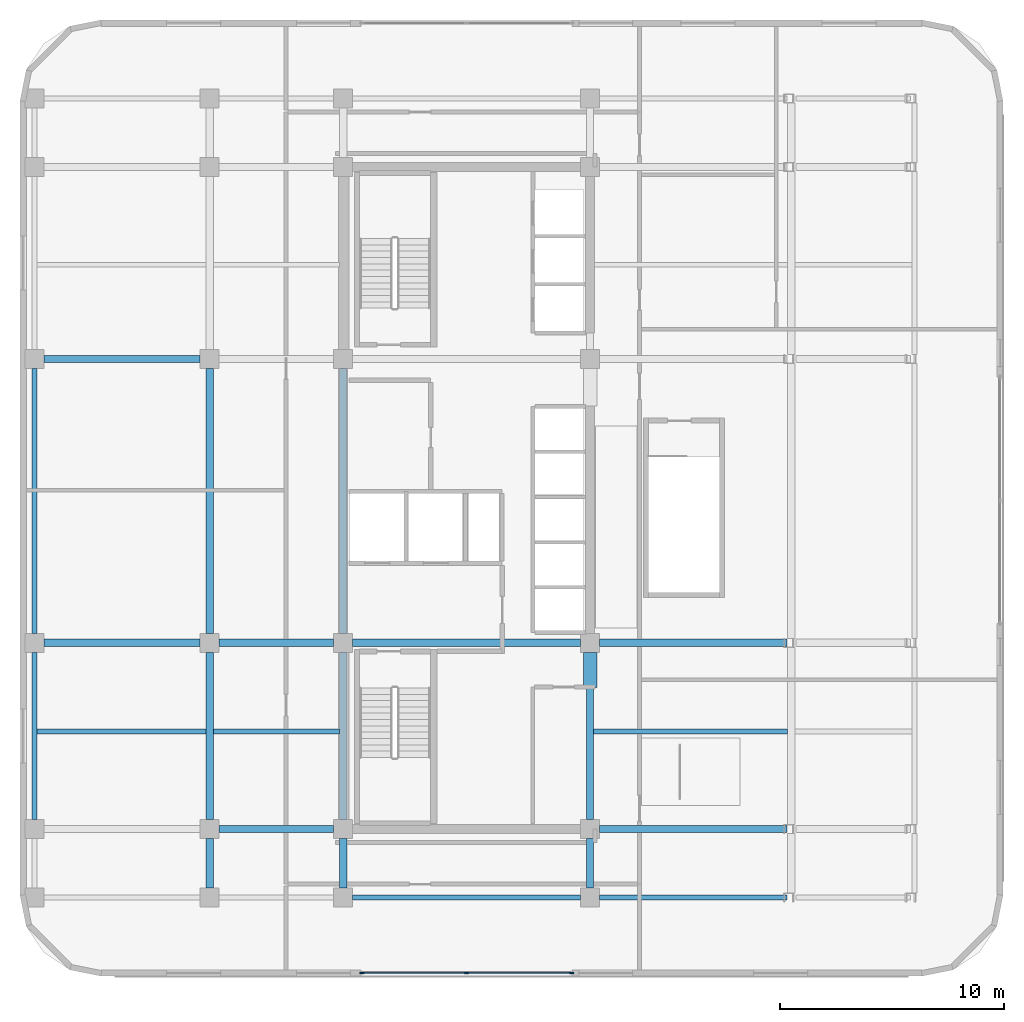
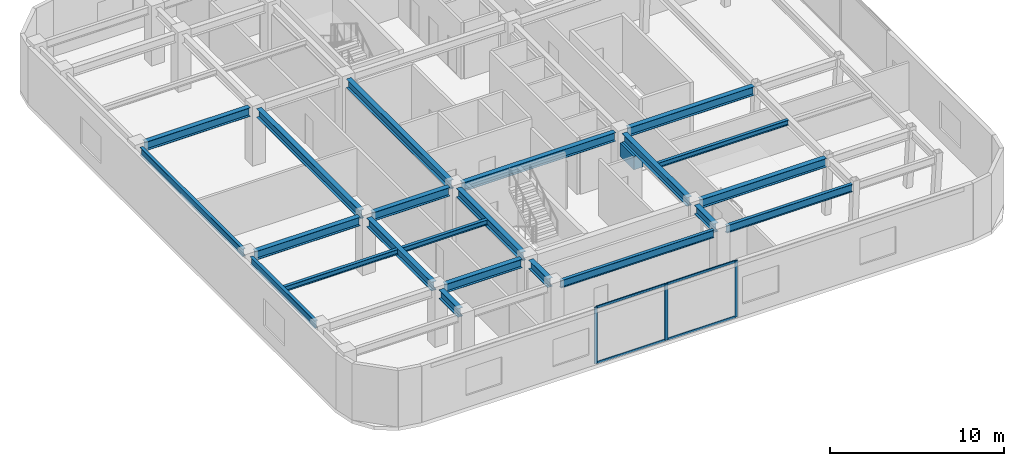
# One storey, part 2 of 12: 23 beams, 7 members, 1 element without a shape of its own.
"""IFC4 building model written with IfcOpenShell, lengths in metres."""

from ifc_helpers import new_model, si_unit, direction, frame, origin, origin_2d, place, context, subcontext, project, spatial, rectangle, i_section, extrude, material, layer, layer_set, material_profile, profile_set, type_object, element, aggregate, save


model = new_model("IFC4")

# Units and contexts
model_context = context("Model", 3, precision=1e-05, world=origin(), true_north=direction((0.0, 1.0)))
body_context = subcontext(model_context, "Body", "Model", "MODEL_VIEW")
ifc_project = project(units=[si_unit("LENGTHUNIT", "METRE"), si_unit("AREAUNIT", "SQUARE_METRE"), si_unit("VOLUMEUNIT", "CUBIC_METRE"), si_unit("PLANEANGLEUNIT", "RADIAN"), si_unit("MASSUNIT", "GRAM", prefix="KILO")], contexts=[model_context])

# Site, building, storey
site_placement = place(None, origin())
site = spatial("IfcSite", under=ifc_project, at=site_placement, CompositionType="ELEMENT")
building_placement = place(site_placement, origin())
building = spatial("IfcBuilding", under=site, at=building_placement, Name="Ochreholt Gables", CompositionType="ELEMENT")
storey_placement = place(building_placement, frame((0.0, 0.0, 117.0)))
storey = spatial("IfcBuildingStorey", under=building, at=storey_placement, Name="L30", CompositionType="ELEMENT", Elevation=117.0)

# Beams
ifc_material_1 = material(Name="Concrete 60 MPa", Category="concrete")
ifc_material_profile_1 = material_profile(ifc_material_1, rectangle(XDim=0.60009765625, YDim=0.949951171875, at=origin_2d()), Name="RCB600X950")
ifc_profile_set_1 = profile_set([ifc_material_profile_1], Name="Concrete 60 MPa")
beam_type_1 = type_object("IfcBeamType", Name="BM-CPL-RC600", PredefinedType="LINTEL", material=ifc_profile_set_1)
beam_1_placement = place(storey_placement, frame((35.199951171875, 15.550048828125, 2.8740234375), z_axis=(0.0, 1.0, 0.0), x_axis=(-1.0, 0.0, 0.0)))
element("IfcBeam", 1, at=beam_1_placement, inside=storey, type_object=beam_type_1, Name="L30 Core Coupling Lintel CPS", PredefinedType="LINTEL", context=body_context, shape_type="SweptSolid", body=[
    extrude(rectangle(XDim=0.60009765625, YDim=0.949951171875, at=origin_2d()), origin(), (0.0, 0.0, 1.0), 1.574951171875),
])
ifc_material_2 = material(Name="Steel CSA G40.21 350W", Category="steel")
ifc_material_profile_2 = material_profile(ifc_material_2, i_section(OverallWidth=0.323974609375, OverallDepth=0.611083984375, WebThickness=0.0126953125, FlangeThickness=0.01904296875, at=origin_2d()), Name="W610X155")
ifc_profile_set_2 = profile_set([ifc_material_profile_2], Name="Steel CSA G40.21 350W")
beam_type_2 = type_object("IfcBeamType", Name="BM-G-W610A", PredefinedType="BEAM", material=ifc_profile_set_2)
beam_2_placement = place(storey_placement, frame((18.674560546875, 9.25, 3.654541015625), z_axis=(1.0, 0.0, 0.0), x_axis=(0.0, 1.0, 0.0)))
element("IfcBeam", 2, at=beam_2_placement, inside=storey, type_object=beam_type_2, Name="L30 Beam TBG-L30-W3C1-Y2", PredefinedType="BEAM", context=body_context, shape_type="SweptSolid", body=[
    extrude(i_section(OverallWidth=0.323974609375, OverallDepth=0.611083984375, WebThickness=0.0126953125, FlangeThickness=0.01904296875, at=origin_2d()), origin(), (0.0, 0.0, 1.0), 5.100830078125),
])
beam_3_placement = place(storey_placement, frame((35.62451171875, 9.25, 3.654541015625), z_axis=(1.0, 0.0, 0.0), x_axis=(0.0, 1.0, 0.0)))
element("IfcBeam", 3, at=beam_3_placement, inside=storey, type_object=beam_type_2, Name="L30 Beam TBG-L30-C2EM-Y2", PredefinedType="BEAM", context=body_context, shape_type="SweptSolid", body=[
    extrude(i_section(OverallWidth=0.323974609375, OverallDepth=0.611083984375, WebThickness=0.0126953125, FlangeThickness=0.01904296875, at=origin_2d()), origin(), (0.0, 0.0, 1.0), 8.350830078125),
])
beam_4_placement = place(storey_placement, frame((10.87451171875, 17.550048828125, 3.654541015625), z_axis=(1.0, 0.0, 0.0), x_axis=(0.0, 1.0, 0.0)))
element("IfcBeam", 4, at=beam_4_placement, inside=storey, type_object=beam_type_2, Name="L30 Beam TBG-L30-W2W3-Y3", PredefinedType="BEAM", context=body_context, shape_type="SweptSolid", body=[
    extrude(i_section(OverallWidth=0.323974609375, OverallDepth=0.611083984375, WebThickness=0.0126953125, FlangeThickness=0.01904296875, at=origin_2d()), origin(), (0.0, 0.0, 1.0), 6.950927734375),
])
beam_5_placement = place(storey_placement, frame((18.674560546875, 17.550048828125, 3.654541015625), z_axis=(1.0, 0.0, 0.0), x_axis=(0.0, 1.0, 0.0)))
element("IfcBeam", 5, at=beam_5_placement, inside=storey, type_object=beam_type_2, Name="L30 Beam TBG-L30-W3C1-Y3", PredefinedType="BEAM", context=body_context, shape_type="SweptSolid", body=[
    extrude(i_section(OverallWidth=0.323974609375, OverallDepth=0.611083984375, WebThickness=0.0126953125, FlangeThickness=0.01904296875, at=origin_2d()), origin(), (0.0, 0.0, 1.0), 5.100830078125),
])
beam_6_placement = place(storey_placement, frame((24.62451171875, 17.550048828125, 3.654541015625), z_axis=(1.0, 0.0, 0.0), x_axis=(0.0, 1.0, 0.0)))
element("IfcBeam", 6, at=beam_6_placement, inside=storey, type_object=beam_type_2, Name="L30 Beam TBG-L30-C1C2-Y3", PredefinedType="BEAM", context=body_context, shape_type="SweptSolid", body=[
    extrude(i_section(OverallWidth=0.323974609375, OverallDepth=0.611083984375, WebThickness=0.0126953125, FlangeThickness=0.01904296875, at=origin_2d()), origin(), (0.0, 0.0, 1.0), 10.15087890625),
])
beam_7_placement = place(storey_placement, frame((35.62451171875, 17.550048828125, 3.654541015625), z_axis=(1.0, 0.0, 0.0), x_axis=(0.0, 1.0, 0.0)))
element("IfcBeam", 7, at=beam_7_placement, inside=storey, type_object=beam_type_2, Name="L30 Beam TBG-L30-C2EM-Y3", PredefinedType="BEAM", context=body_context, shape_type="SweptSolid", body=[
    extrude(i_section(OverallWidth=0.323974609375, OverallDepth=0.611083984375, WebThickness=0.0126953125, FlangeThickness=0.01904296875, at=origin_2d()), origin(), (0.0, 0.0, 1.0), 8.350830078125),
])
beam_8_placement = place(storey_placement, frame((10.87451171875, 30.199951171875, 3.654541015625), z_axis=(1.0, 0.0, 0.0), x_axis=(0.0, 1.0, 0.0)))
element("IfcBeam", 8, at=beam_8_placement, inside=storey, type_object=beam_type_2, Name="L30 Beam TBG-L30-W2W3-Y4", PredefinedType="BEAM", context=body_context, shape_type="SweptSolid", body=[
    extrude(i_section(OverallWidth=0.323974609375, OverallDepth=0.611083984375, WebThickness=0.0126953125, FlangeThickness=0.01904296875, at=origin_2d()), origin(), (0.0, 0.0, 1.0), 6.950927734375),
])
beam_9_placement = place(storey_placement, frame((18.25, 6.62451171875, 3.654541015625), z_axis=(0.0, 1.0, 0.0), x_axis=(-1.0, 0.0, 0.0)))
element("IfcBeam", 9, at=beam_9_placement, inside=storey, type_object=beam_type_2, Name="L30 Beam TBN-L30-W3-Y1Y2", PredefinedType="BEAM", context=body_context, shape_type="SweptSolid", body=[
    extrude(i_section(OverallWidth=0.323974609375, OverallDepth=0.611083984375, WebThickness=0.0126953125, FlangeThickness=0.01904296875, at=origin_2d()), origin(), (0.0, 0.0, 1.0), 2.200927734375),
])
beam_10_placement = place(storey_placement, frame((18.25, 9.674560546875, 3.654541015625), z_axis=(0.0, 1.0, 0.0), x_axis=(-1.0, 0.0, 0.0)))
element("IfcBeam", 10, at=beam_10_placement, inside=storey, type_object=beam_type_2, Name="L30 Beam TBN-L30-W3-Y2Y3", PredefinedType="BEAM", context=body_context, shape_type="SweptSolid", body=[
    extrude(i_section(OverallWidth=0.323974609375, OverallDepth=0.611083984375, WebThickness=0.0126953125, FlangeThickness=0.01904296875, at=origin_2d()), origin(), (0.0, 0.0, 1.0), 7.450927734375),
])
beam_11_placement = place(storey_placement, frame((18.25, 17.974609375, 3.654541015625), z_axis=(0.0, 1.0, 0.0), x_axis=(-1.0, 0.0, 0.0)))
element("IfcBeam", 11, at=beam_11_placement, inside=storey, type_object=beam_type_2, Name="L30 Beam TBN-L30-W3-Y3Y4", PredefinedType="BEAM", context=body_context, shape_type="SweptSolid", body=[
    extrude(i_section(OverallWidth=0.323974609375, OverallDepth=0.611083984375, WebThickness=0.0126953125, FlangeThickness=0.01904296875, at=origin_2d()), origin(), (0.0, 0.0, 1.0), 11.80078125),
])
beam_12_placement = place(storey_placement, frame((24.199951171875, 6.62451171875, 3.654541015625), z_axis=(0.0, 1.0, 0.0), x_axis=(-1.0, 0.0, 0.0)))
element("IfcBeam", 12, at=beam_12_placement, inside=storey, type_object=beam_type_2, Name="L30 Beam TBN-L30-C1-Y1Y2", PredefinedType="BEAM", context=body_context, shape_type="SweptSolid", body=[
    extrude(i_section(OverallWidth=0.323974609375, OverallDepth=0.611083984375, WebThickness=0.0126953125, FlangeThickness=0.01904296875, at=origin_2d()), origin(), (0.0, 0.0, 1.0), 2.200927734375),
])
beam_13_placement = place(storey_placement, frame((24.199951171875, 9.674560546875, 3.654541015625), z_axis=(0.0, 1.0, 0.0), x_axis=(-1.0, 0.0, 0.0)))
element("IfcBeam", 13, at=beam_13_placement, inside=storey, type_object=beam_type_2, Name="L30 Beam TBN-L30-C1-Y2Y3", PredefinedType="BEAM", context=body_context, shape_type="SweptSolid", body=[
    extrude(i_section(OverallWidth=0.323974609375, OverallDepth=0.611083984375, WebThickness=0.0126953125, FlangeThickness=0.01904296875, at=origin_2d()), origin(), (0.0, 0.0, 1.0), 7.450927734375),
])
beam_14_placement = place(storey_placement, frame((24.199951171875, 17.974609375, 3.654541015625), z_axis=(0.0, 1.0, 0.0), x_axis=(-1.0, 0.0, 0.0)))
element("IfcBeam", 14, at=beam_14_placement, inside=storey, type_object=beam_type_2, Name="L30 Beam TBN-L30-C1-Y3Y4", PredefinedType="BEAM", context=body_context, shape_type="SweptSolid", body=[
    extrude(i_section(OverallWidth=0.323974609375, OverallDepth=0.611083984375, WebThickness=0.0126953125, FlangeThickness=0.01904296875, at=origin_2d()), origin(), (0.0, 0.0, 1.0), 11.80078125),
])
beam_15_placement = place(storey_placement, frame((35.199951171875, 6.62451171875, 3.654541015625), z_axis=(0.0, 1.0, 0.0), x_axis=(-1.0, 0.0, 0.0)))
element("IfcBeam", 15, at=beam_15_placement, inside=storey, type_object=beam_type_2, Name="L30 Beam TBN-L30-C2-Y1Y2", PredefinedType="BEAM", context=body_context, shape_type="SweptSolid", body=[
    extrude(i_section(OverallWidth=0.323974609375, OverallDepth=0.611083984375, WebThickness=0.0126953125, FlangeThickness=0.01904296875, at=origin_2d()), origin(), (0.0, 0.0, 1.0), 2.200927734375),
])
beam_16_placement = place(storey_placement, frame((35.199951171875, 9.674560546875, 3.654541015625), z_axis=(0.0, 1.0, 0.0), x_axis=(-1.0, 0.0, 0.0)))
element("IfcBeam", 16, at=beam_16_placement, inside=storey, type_object=beam_type_2, Name="L30 Beam TBN-L30-C2-Y2Y3", PredefinedType="BEAM", context=body_context, shape_type="SweptSolid", body=[
    extrude(i_section(OverallWidth=0.323974609375, OverallDepth=0.611083984375, WebThickness=0.0126953125, FlangeThickness=0.01904296875, at=origin_2d()), origin(), (0.0, 0.0, 1.0), 7.450927734375),
])
ifc_material_profile_3 = material_profile(ifc_material_2, i_section(OverallWidth=0.205078125, OverallDepth=0.35400390625, WebThickness=0.009521484375, FlangeThickness=0.016845703125, at=origin_2d()), Name="W360X79")
ifc_profile_set_3 = profile_set([ifc_material_profile_3], Name="Steel CSA G40.21 350W")
beam_type_3 = type_object("IfcBeamType", Name="BM-J-W360A", PredefinedType="JOIST", material=ifc_profile_set_3)
beam_17_placement = place(storey_placement, frame((10.55419921875, 13.60009765625, 3.782958984375), z_axis=(1.0, 0.0, 0.0), x_axis=(0.0, 1.0, 0.0)))
element("IfcBeam", 17, at=beam_17_placement, inside=storey, type_object=beam_type_3, Name="L30 Beam TBJ-L30-J1-W2W3", PredefinedType="JOIST", context=body_context, shape_type="SweptSolid", body=[
    extrude(i_section(OverallWidth=0.205078125, OverallDepth=0.35400390625, WebThickness=0.009521484375, FlangeThickness=0.016845703125, at=origin_2d()), origin(), (0.0, 0.0, 1.0), 7.5341796875),
])
beam_18_placement = place(storey_placement, frame((18.41162109375, 13.60009765625, 3.782958984375), z_axis=(1.0, 0.0, 0.0), x_axis=(0.0, 1.0, 0.0)))
element("IfcBeam", 18, at=beam_18_placement, inside=storey, type_object=beam_type_3, Name="L30 Beam TBJ-L30-J1-W3C1", PredefinedType="JOIST", context=body_context, shape_type="SweptSolid", body=[
    extrude(i_section(OverallWidth=0.205078125, OverallDepth=0.35400390625, WebThickness=0.009521484375, FlangeThickness=0.016845703125, at=origin_2d()), origin(), (0.0, 0.0, 1.0), 5.626708984375),
])
beam_19_placement = place(storey_placement, frame((35.361572265625, 13.60009765625, 3.782958984375), z_axis=(1.0, 0.0, 0.0), x_axis=(0.0, 1.0, 0.0)))
element("IfcBeam", 19, at=beam_19_placement, inside=storey, type_object=beam_type_3, Name="L30 Beam TBJ-L30-J1-C2EM", PredefinedType="JOIST", context=body_context, shape_type="SweptSolid", body=[
    extrude(i_section(OverallWidth=0.205078125, OverallDepth=0.35400390625, WebThickness=0.009521484375, FlangeThickness=0.016845703125, at=origin_2d()), origin(), (0.0, 0.0, 1.0), 8.6376953125),
])
ifc_material_profile_4 = material_profile(ifc_material_2, i_section(OverallWidth=0.208984375, OverallDepth=0.532958984375, WebThickness=0.01025390625, FlangeThickness=0.015625, at=origin_2d()), Name="W530X92")
ifc_profile_set_4 = profile_set([ifc_material_profile_4], Name="Steel CSA G40.21 350W")
beam_type_4 = type_object("IfcBeamType", Name="BM-SP-W530B", PredefinedType="SPANDREL", material=ifc_profile_set_4)
beam_20_placement = place(storey_placement, frame((24.62451171875, 6.199951171875, 3.693603515625), z_axis=(1.0, 0.0, 0.0), x_axis=(0.0, 1.0, 0.0)))
element("IfcBeam", 20, at=beam_20_placement, inside=storey, type_object=beam_type_4, Name="L30 Beam TBG-L30-C1C2-Y1", PredefinedType="SPANDREL", context=body_context, shape_type="SweptSolid", body=[
    extrude(i_section(OverallWidth=0.208984375, OverallDepth=0.532958984375, WebThickness=0.01025390625, FlangeThickness=0.015625, at=origin_2d()), origin(), (0.0, 0.0, 1.0), 10.15087890625),
])
beam_21_placement = place(storey_placement, frame((35.62451171875, 6.199951171875, 3.693603515625), z_axis=(1.0, 0.0, 0.0), x_axis=(0.0, 1.0, 0.0)))
element("IfcBeam", 21, at=beam_21_placement, inside=storey, type_object=beam_type_4, Name="L30 Beam TBG-L30-C2EM-Y1", PredefinedType="SPANDREL", context=body_context, shape_type="SweptSolid", body=[
    extrude(i_section(OverallWidth=0.208984375, OverallDepth=0.532958984375, WebThickness=0.01025390625, FlangeThickness=0.015625, at=origin_2d()), origin(), (0.0, 0.0, 1.0), 8.350830078125),
])
beam_22_placement = place(storey_placement, frame((10.449951171875, 9.674560546875, 3.693603515625), z_axis=(0.0, 1.0, 0.0), x_axis=(-1.0, 0.0, 0.0)))
element("IfcBeam", 22, at=beam_22_placement, inside=storey, type_object=beam_type_4, Name="L30 Beam TBN-L30-W2-Y2Y3", PredefinedType="SPANDREL", context=body_context, shape_type="SweptSolid", body=[
    extrude(i_section(OverallWidth=0.208984375, OverallDepth=0.532958984375, WebThickness=0.01025390625, FlangeThickness=0.015625, at=origin_2d()), origin(), (0.0, 0.0, 1.0), 7.450927734375),
])
beam_23_placement = place(storey_placement, frame((10.449951171875, 17.974609375, 3.693603515625), z_axis=(0.0, 1.0, 0.0), x_axis=(-1.0, 0.0, 0.0)))
element("IfcBeam", 23, at=beam_23_placement, inside=storey, type_object=beam_type_4, Name="L30 Beam TBN-L30-W2-Y3Y4", PredefinedType="SPANDREL", context=body_context, shape_type="SweptSolid", body=[
    extrude(i_section(OverallWidth=0.208984375, OverallDepth=0.532958984375, WebThickness=0.01025390625, FlangeThickness=0.015625, at=origin_2d()), origin(), (0.0, 0.0, 1.0), 11.80078125),
])

# Curtain wall, members
ifc_material_3 = material(Name="Unitised Aluminium and Triple Glazing", Category="aluminium")
ifc_layer = layer(ifc_material_3, 0.219970703125, Name="Unitised Aluminium and Triple Glazing")
ifc_layer_set = layer_set([ifc_layer], Name="Unitised Aluminium and Triple Glazing")
curtain_wall_type = type_object("IfcCurtainWallType", Name="CW-SYS6", PredefinedType="NOTDEFINED", material=ifc_layer_set)
curtain_wall_placement = place(storey_placement, origin())
curtain_wall = element("IfcCurtainWall", 24, at=curtain_wall_placement, inside=storey, type_object=curtain_wall_type, Name="L30 South Unitised Curtain Wall", PredefinedType="NOTDEFINED")
ifc_material_4 = material(Name="Anodized Aluminium 6063-T6", Category="aluminium")
ifc_material_profile_5 = material_profile(ifc_material_4, rectangle(XDim=0.074951171875, YDim=0.199951171875, at=origin_2d()), Name="CWM75X200")
ifc_profile_set_5 = profile_set([ifc_material_profile_5], Name="Anodized Aluminium 6063-T6")
member_type_1 = type_object("IfcMemberType", Name="CW-MUL-A", PredefinedType="MULLION", material=ifc_profile_set_5)
member_1_placement = place(storey_placement, frame((25.03759765625, 2.840087890625, 0.0), z_axis=(0.0, 0.0, 1.0), x_axis=(0.0, 1.0, 0.0)))
member_1 = element("IfcMember", 25, at=member_1_placement, type_object=member_type_1, Name="CW-6 mullion 1", PredefinedType="MULLION", context=body_context, shape_type="SweptSolid", body=[
    extrude(rectangle(XDim=0.074951171875, YDim=0.199951171875, at=origin_2d()), origin(), (0.0, 0.0, 1.0), 3.9599609375),
])
member_2_placement = place(storey_placement, frame((29.699951171875, 2.840087890625, 0.0), z_axis=(0.0, 0.0, 1.0), x_axis=(0.0, 1.0, 0.0)))
member_2 = element("IfcMember", 26, at=member_2_placement, type_object=member_type_1, Name="CW-6 mullion 2", PredefinedType="MULLION", context=body_context, shape_type="SweptSolid", body=[
    extrude(rectangle(XDim=0.074951171875, YDim=0.199951171875, at=origin_2d()), origin(), (0.0, 0.0, 1.0), 3.9599609375),
])
member_3_placement = place(storey_placement, frame((34.362548828125, 2.840087890625, 0.0), z_axis=(0.0, 0.0, 1.0), x_axis=(0.0, 1.0, 0.0)))
member_3 = element("IfcMember", 27, at=member_3_placement, type_object=member_type_1, Name="CW-6 mullion 3", PredefinedType="MULLION", context=body_context, shape_type="SweptSolid", body=[
    extrude(rectangle(XDim=0.074951171875, YDim=0.199951171875, at=origin_2d()), origin(), (0.0, 0.0, 1.0), 3.9599609375),
])
ifc_material_profile_6 = material_profile(ifc_material_4, rectangle(XDim=0.074951171875, YDim=0.159912109375, at=origin_2d()), Name="CWT75X160")
ifc_profile_set_6 = profile_set([ifc_material_profile_6], Name="Anodized Aluminium 6063-T6")
member_type_2 = type_object("IfcMemberType", Name="CW-TRN-A", PredefinedType="USERDEFINED", material=ifc_profile_set_6)
member_4_placement = place(storey_placement, frame((25.074951171875, 2.840087890625, 0.03759765625), z_axis=(1.0, 0.0, 0.0), x_axis=(0.0, 1.0, 0.0)))
member_4 = element("IfcMember", 28, at=member_4_placement, type_object=member_type_2, Name="CW-6 transom 1.1", ObjectType="TRANSOM", PredefinedType="USERDEFINED", context=body_context, shape_type="SweptSolid", body=[
    extrude(rectangle(XDim=0.074951171875, YDim=0.159912109375, at=origin_2d()), origin(), (0.0, 0.0, 1.0), 4.587646484375),
])
member_5_placement = place(storey_placement, frame((25.074951171875, 2.840087890625, 3.922607421875), z_axis=(1.0, 0.0, 0.0), x_axis=(0.0, 1.0, 0.0)))
member_5 = element("IfcMember", 29, at=member_5_placement, type_object=member_type_2, Name="CW-6 transom 1.2", ObjectType="TRANSOM", PredefinedType="USERDEFINED", context=body_context, shape_type="SweptSolid", body=[
    extrude(rectangle(XDim=0.074951171875, YDim=0.159912109375, at=origin_2d()), origin(), (0.0, 0.0, 1.0), 4.587646484375),
])
member_6_placement = place(storey_placement, frame((29.737548828125, 2.840087890625, 0.03759765625), z_axis=(1.0, 0.0, 0.0), x_axis=(0.0, 1.0, 0.0)))
member_6 = element("IfcMember", 30, at=member_6_placement, type_object=member_type_2, Name="CW-6 transom 2.1", ObjectType="TRANSOM", PredefinedType="USERDEFINED", context=body_context, shape_type="SweptSolid", body=[
    extrude(rectangle(XDim=0.074951171875, YDim=0.159912109375, at=origin_2d()), origin(), (0.0, 0.0, 1.0), 4.58740234375),
])
member_7_placement = place(storey_placement, frame((29.737548828125, 2.840087890625, 3.922607421875), z_axis=(1.0, 0.0, 0.0), x_axis=(0.0, 1.0, 0.0)))
member_7 = element("IfcMember", 31, at=member_7_placement, type_object=member_type_2, Name="CW-6 transom 2.2", ObjectType="TRANSOM", PredefinedType="USERDEFINED", context=body_context, shape_type="SweptSolid", body=[
    extrude(rectangle(XDim=0.074951171875, YDim=0.159912109375, at=origin_2d()), origin(), (0.0, 0.0, 1.0), 4.58740234375),
])
aggregate(curtain_wall, [member_1, member_2, member_3, member_4, member_5, member_6, member_7])

save(model, "model.ifc")
